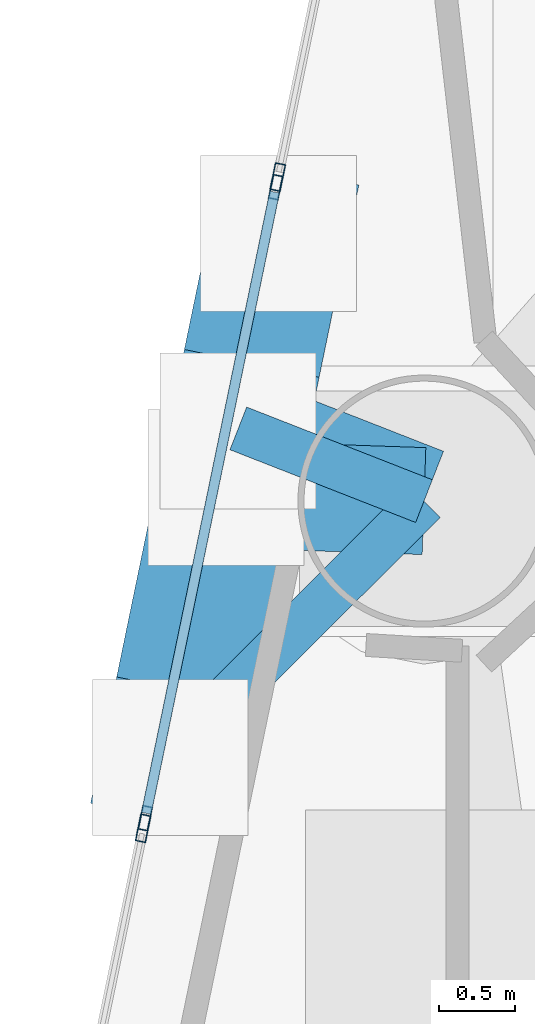
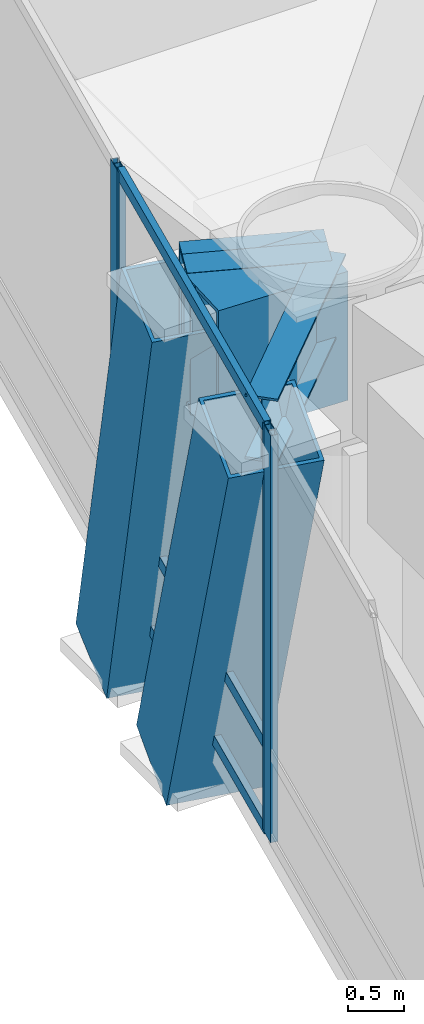
# One storey, part 6 of 22: 9 members, 4 beams, 3 elements without a shape of their own.
"""IFC4 building model written with IfcOpenShell, lengths in metres."""

from ifc_helpers import new_model, si_unit, direction, frame, origin, origin_2d, place, context, subcontext, project, spatial, hollow_rectangle, i_section, extrude, material, layer, layer_set, material_profile, profile_set, type_object, element, aggregate, save


model = new_model("IFC4")

# Units and contexts
model_context = context("Model", 3, precision=1e-05, world=origin(), true_north=direction((0.0, 1.0)))
body_context = subcontext(model_context, "Body", "Model", "MODEL_VIEW")
ifc_project = project(units=[si_unit("LENGTHUNIT", "METRE"), si_unit("AREAUNIT", "SQUARE_METRE"), si_unit("VOLUMEUNIT", "CUBIC_METRE"), si_unit("PLANEANGLEUNIT", "RADIAN"), si_unit("MASSUNIT", "GRAM", prefix="KILO")], contexts=[model_context])

# Site, building, storey
site_placement = place(None, origin())
site = spatial("IfcSite", under=ifc_project, at=site_placement, CompositionType="ELEMENT")
building_placement = place(site_placement, origin())
building = spatial("IfcBuilding", under=site, at=building_placement, Name="Qianvela Tower", CompositionType="ELEMENT")
storey_placement = place(building_placement, frame((0.0, 0.0, 93.199951171875)))
storey = spatial("IfcBuildingStorey", under=building, at=storey_placement, Name="L23", CompositionType="ELEMENT", Elevation=93.199951171875)

# Beams
ifc_material_1 = material(Name="Steel Q355B", Category="steel")
ifc_material_profile_1 = material_profile(ifc_material_1, i_section(OverallWidth=0.300048828125, OverallDepth=0.699951171875, WebThickness=0.012939453125, FlangeThickness=0.02392578125, at=origin_2d()), Name="HN700x300x13x24")
ifc_profile_set_1 = profile_set([ifc_material_profile_1], Name="Steel Q355B")
beam_type_1 = type_object("IfcBeamType", Name="BM-HN700-SPAND", PredefinedType="SPANDREL", material=ifc_profile_set_1)
beam_1_placement = place(storey_placement, frame((22.8291015625, 30.340087890625, 4.068115234375), z_axis=(-0.931162673699, 0.364603997661, 0.0), x_axis=(-0.364603997661, -0.931162673699, 0.0)))
element("IfcBeam", 1, at=beam_1_placement, inside=storey, type_object=beam_type_1, Name="L23 Mega-Brace Column Tie Bracket F2-1", PredefinedType="SPANDREL", context=body_context, shape_type="SweptSolid", body=[
    extrude(i_section(OverallWidth=0.300048828125, OverallDepth=0.699951171875, WebThickness=0.012939453125, FlangeThickness=0.02392578125, at=origin_2d()), origin(), (0.0, 0.0, 1.0), 1.304443359375),
])
beam_2_placement = place(storey_placement, frame((22.8291015625, 30.340087890625, 4.068115234375), z_axis=(-0.707263261124, -0.706950266614, 0.0), x_axis=(0.706950266614, -0.707263261124, 0.0)))
element("IfcBeam", 2, at=beam_2_placement, inside=storey, type_object=beam_type_1, Name="L23 Mega-Brace Column Tie Bracket F2-2", PredefinedType="SPANDREL", context=body_context, shape_type="SweptSolid", body=[
    extrude(i_section(OverallWidth=0.300048828125, OverallDepth=0.699951171875, WebThickness=0.012939453125, FlangeThickness=0.02392578125, at=origin_2d()), origin(), (0.0, 0.0, 1.0), 2.340087890625),
])
ifc_material_2 = material(Name="Steel Q420GJC", Category="steel")
ifc_material_profile_2 = material_profile(ifc_material_2, hollow_rectangle(XDim=0.699951171875, YDim=1.39990234375, WallThickness=0.0400390625, at=origin_2d()), Name="TG-BOX-1400x700x40")
ifc_profile_set_2 = profile_set([ifc_material_profile_2], Name="Steel Q420GJC")
beam_type_2 = type_object("IfcBeamType", Name="BM-TG-STEP-1400", PredefinedType="BEAM", material=ifc_profile_set_2)
for number, where, z_axis, x_axis, name in (
    (3, (22.8291015625, 30.340087890625, 3.715087890625), (-0.931162673699, 0.364603997661, 0.0), (-0.364603997661, -0.931162673699, 0.0), "L23 Mega-Brace Zone Base Bracket F2-1"),
    (4, (22.8291015625, 30.340087890625, 3.715087890625), (-0.99941331181, 0.034249557315, 0.0), (-0.034249557315, -0.99941331181, 0.0), "L23 Mega-Brace Zone Base Bracket F2-2"),
):
    element("IfcBeam", number, at=place(storey_placement, frame(where, z_axis=z_axis, x_axis=x_axis)), inside=storey, type_object=beam_type_2, Name=name, PredefinedType="BEAM", context=body_context, shape_type="SweptSolid", body=[
        extrude(hollow_rectangle(XDim=0.699951171875, YDim=1.39990234375, WallThickness=0.0400390625, at=origin_2d()), origin(), (0.0, 0.0, 1.0), 1.304443359375),
    ])

# Curtain wall, members
ifc_material_3 = material(Name="Anodised Architectural Aluminium and Insulated Spandrel Panel", Category="aluminium")
ifc_layer_1 = layer(ifc_material_3, 0.179931640625)
ifc_layer_set_1 = layer_set([ifc_layer_1], Name="Anodised Architectural Aluminium and Insulated Spandrel Panel")
curtain_wall_type_1 = type_object("IfcCurtainWallType", Name="CW-BRACEBAY", PredefinedType="USERDEFINED", material=ifc_layer_set_1)
curtain_wall_1_placement = place(storey_placement, origin())
curtain_wall_1 = element("IfcCurtainWall", 5, at=curtain_wall_1_placement, inside=storey, type_object=curtain_wall_type_1, Name="L23 CW-BRACEBAY Curtain Wall 04B", ObjectType="CURTAIN_WALL_SYSTEM", PredefinedType="USERDEFINED")
ifc_material_4 = material(Name="Anodised Architectural Aluminium 6063-T6", Category="aluminium")
ifc_material_profile_3 = material_profile(ifc_material_4, hollow_rectangle(XDim=0.06494140625, YDim=0.159912109375, WallThickness=0.0048828125, at=origin_2d()), Name="ALU-MULL-65x160")
ifc_profile_set_3 = profile_set([ifc_material_profile_3], Name="Anodised Architectural Aluminium 6063-T6")
member_type_1 = type_object("IfcMemberType", Name="CW-BRACEBAY-MULL", PredefinedType="MULLION", material=ifc_profile_set_3)
member_1_placement = place(storey_placement, frame((21.85888671875, 32.3935546875, 0.0), z_axis=(0.0, 0.0, 1.0), x_axis=(0.979295891528, -0.202434080225, 0.0)))
member_1 = element("IfcMember", 6, at=member_1_placement, type_object=member_type_1, Name="CW-9 mullion 1", PredefinedType="MULLION", context=body_context, shape_type="SweptSolid", body=[
    extrude(hollow_rectangle(XDim=0.06494140625, YDim=0.159912109375, WallThickness=0.0048828125, at=origin_2d()), origin(), (0.0, 0.0, 1.0), 4.420166015625),
])
member_2_placement = place(storey_placement, frame((21.005615234375, 28.265869140625, 0.0), z_axis=(0.0, 0.0, 1.0), x_axis=(0.979295891528, -0.202434080225, 0.0)))
member_2 = element("IfcMember", 7, at=member_2_placement, type_object=member_type_1, Name="CW-9 mullion 2", PredefinedType="MULLION", context=body_context, shape_type="SweptSolid", body=[
    extrude(hollow_rectangle(XDim=0.06494140625, YDim=0.159912109375, WallThickness=0.0048828125, at=origin_2d()), origin(), (0.0, 0.0, 1.0), 4.420166015625),
])
ifc_material_5 = material(Name="Anodised Architectural Aluminium 6063-T6", Category="aluminium")
ifc_material_profile_4 = material_profile(ifc_material_5, hollow_rectangle(XDim=0.06494140625, YDim=0.1298828125, WallThickness=0.00439453125, at=origin_2d()), Name="ALU-TRAN-65x130")
ifc_profile_set_4 = profile_set([ifc_material_profile_4], Name="Anodised Architectural Aluminium 6063-T6")
member_type_2 = type_object("IfcMemberType", Name="CW-BRACEBAY-TRAN", PredefinedType="USERDEFINED", material=ifc_profile_set_4)
member_3_placement = place(storey_placement, frame((21.852294921875, 32.36181640625, 0.032470703125), z_axis=(-0.202436353811, -0.979295421543, 0.0), x_axis=(0.979295421543, -0.202436353811, 0.0)))
member_3 = element("IfcMember", 8, at=member_3_placement, type_object=member_type_2, Name="CW-9 transom 1.1", ObjectType="TRANSOM", PredefinedType="USERDEFINED", context=body_context, shape_type="SweptSolid", body=[
    extrude(hollow_rectangle(XDim=0.06494140625, YDim=0.1298828125, WallThickness=0.00439453125, at=origin_2d()), origin(), (0.0, 0.0, 1.0), 4.14990234375),
])
member_4_placement = place(storey_placement, frame((21.852294921875, 32.36181640625, 0.949951171875), z_axis=(-0.202436353811, -0.979295421543, 0.0), x_axis=(0.979295421543, -0.202436353811, 0.0)))
member_4 = element("IfcMember", 9, at=member_4_placement, type_object=member_type_2, Name="CW-9 transom 1.2", ObjectType="TRANSOM", PredefinedType="USERDEFINED", context=body_context, shape_type="SweptSolid", body=[
    extrude(hollow_rectangle(XDim=0.06494140625, YDim=0.1298828125, WallThickness=0.00439453125, at=origin_2d()), origin(), (0.0, 0.0, 1.0), 4.14990234375),
])
member_5_placement = place(storey_placement, frame((21.852294921875, 32.36181640625, 4.387451171875), z_axis=(-0.202436353811, -0.979295421543, 0.0), x_axis=(0.979295421543, -0.202436353811, 0.0)))
member_5 = element("IfcMember", 10, at=member_5_placement, type_object=member_type_2, Name="CW-9 transom 1.3", ObjectType="TRANSOM", PredefinedType="USERDEFINED", context=body_context, shape_type="SweptSolid", body=[
    extrude(hollow_rectangle(XDim=0.06494140625, YDim=0.1298828125, WallThickness=0.00439453125, at=origin_2d()), origin(), (0.0, 0.0, 1.0), 4.14990234375),
])
aggregate(curtain_wall_1, [member_1, member_2, member_3, member_4, member_5])

# Curtain wall, member
ifc_material_6 = material(Name="Anodised Architectural Aluminium and Low-E Glass", Category="aluminium")
ifc_layer_2 = layer(ifc_material_6, 0.179931640625)
ifc_layer_set_2 = layer_set([ifc_layer_2], Name="Anodised Architectural Aluminium and Low-E Glass")
curtain_wall_type_2 = type_object("IfcCurtainWallType", Name="CW-COLIV-Z12", PredefinedType="USERDEFINED", material=ifc_layer_set_2)
curtain_wall_2_placement = place(storey_placement, origin())
curtain_wall_2 = element("IfcCurtainWall", 11, at=curtain_wall_2_placement, inside=storey, type_object=curtain_wall_type_2, Name="L23 CW-COLIV-Z12 Curtain Wall 04A", ObjectType="CURTAIN_WALL_SYSTEM", PredefinedType="USERDEFINED")
ifc_material_7 = material(Name="Anodised Architectural Aluminium 6063-T6", Category="aluminium")
ifc_material_profile_5 = material_profile(ifc_material_7, hollow_rectangle(XDim=0.070068359375, YDim=0.179931640625, WallThickness=0.0048828125, at=origin_2d()), Name="ALU-MULL-70x180")
ifc_profile_set_5 = profile_set([ifc_material_profile_5], Name="Anodised Architectural Aluminium 6063-T6")
member_type_3 = type_object("IfcMemberType", Name="CW-COLIV-Z12-MULL", PredefinedType="MULLION", material=ifc_profile_set_5)
member_6_placement = place(storey_placement, frame((21.87255859375, 32.459716796875, 0.0), z_axis=(0.0, 0.0, 1.0), x_axis=(0.979292640332, -0.202449807585, 0.0)))
member_6 = element("IfcMember", 12, at=member_6_placement, type_object=member_type_3, Name="CW-3 mullion 2", PredefinedType="MULLION", context=body_context, shape_type="SweptSolid", body=[
    extrude(hollow_rectangle(XDim=0.070068359375, YDim=0.179931640625, WallThickness=0.0048828125, at=origin_2d()), origin(), (0.0, 0.0, 1.0), 4.420166015625),
])
aggregate(curtain_wall_2, [member_6])

curtain_wall_3_placement = place(storey_placement, origin())
curtain_wall_3 = element("IfcCurtainWall", 13, at=curtain_wall_3_placement, inside=storey, type_object=curtain_wall_type_2, Name="L23 CW-COLIV-Z12 Curtain Wall 04C", ObjectType="CURTAIN_WALL_SYSTEM", PredefinedType="USERDEFINED")
member_7_placement = place(storey_placement, frame((20.991943359375, 28.19970703125, 0.0), z_axis=(0.0, 0.0, 1.0), x_axis=(0.979293291907, -0.202446655755, 0.0)))
member_7 = element("IfcMember", 14, at=member_7_placement, type_object=member_type_3, Name="CW-3 mullion 1", PredefinedType="MULLION", context=body_context, shape_type="SweptSolid", body=[
    extrude(hollow_rectangle(XDim=0.070068359375, YDim=0.179931640625, WallThickness=0.0048828125, at=origin_2d()), origin(), (0.0, 0.0, 1.0), 4.420166015625),
])
aggregate(curtain_wall_3, [member_7])

# Members
ifc_material_8 = material(Name="Steel Q420GJC", Category="steel")
ifc_material_profile_6 = material_profile(ifc_material_8, hollow_rectangle(XDim=0.89990234375, YDim=0.89990234375, WallThickness=0.035888671875, at=origin_2d()), Name="MBOX-900x900x36")
ifc_profile_set_6 = profile_set([ifc_material_profile_6], Name="Steel Q420GJC")
member_type_4 = type_object("IfcMemberType", Name="MBR-MBRACE-900", PredefinedType="BRACE", material=ifc_profile_set_6)
member_8_placement = place(storey_placement, frame((21.87451171875, 32.073974609375, -0.65185546875), z_axis=(-0.053152896633, -0.257230074409, 0.964887277561), x_axis=(0.979311087046, -0.202360556404, 0.0)))
element("IfcMember", 15, at=member_8_placement, inside=storey, type_object=member_type_4, Name="L23 Tier 4 Exterior Mega-Brace F2A", PredefinedType="BRACE", context=body_context, shape_type="SweptSolid", body=[
    extrude(hollow_rectangle(XDim=0.89990234375, YDim=0.89990234375, WallThickness=0.035888671875, at=origin_2d()), origin(), (0.0, 0.0, 1.0), 4.891845703125),
])
member_9_placement = place(storey_placement, frame((21.52978515625, 30.406494140625, -0.65185546875), z_axis=(-0.070628195375, -0.341652382293, 0.937168772256), x_axis=(0.979293677372, -0.202444791137, 0.0)))
element("IfcMember", 16, at=member_9_placement, inside=storey, type_object=member_type_4, Name="L23 Tier 4 Exterior Mega-Brace F2B", PredefinedType="BRACE", context=body_context, shape_type="SweptSolid", body=[
    extrude(hollow_rectangle(XDim=0.89990234375, YDim=0.89990234375, WallThickness=0.035888671875, at=origin_2d()), origin(), (0.0, 0.0, 1.0), 5.036376953125),
])

save(model, "model.ifc")
